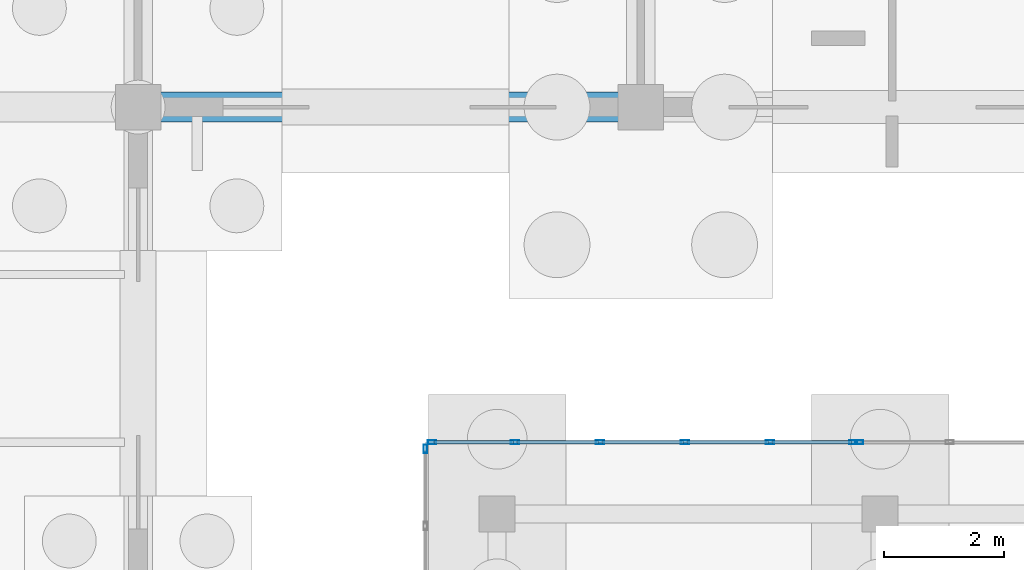
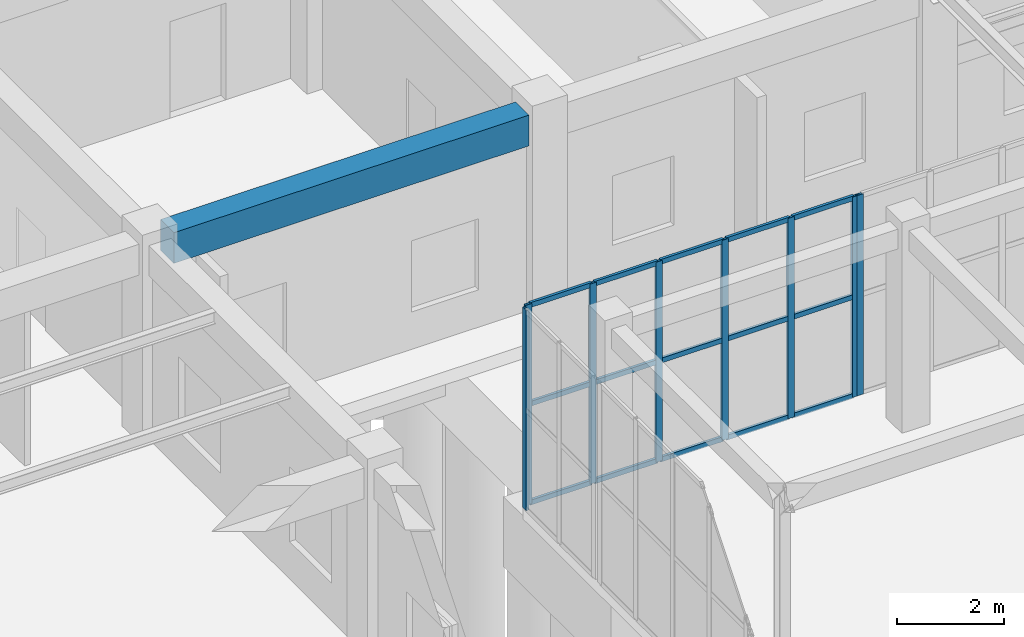
# One storey, part 90 of 192: 23 members, 1 beam, 3 elements without a shape of their own.
"""IFC4 building model written with IfcOpenShell, lengths in metres."""

from ifc_helpers import new_model, si_unit, direction, frame, origin, origin_2d, place, context, subcontext, project, spatial, rectangle, hollow_rectangle, extrude, material, layer, layer_set, material_profile, profile_set, type_object, element, aggregate, save


model = new_model("IFC4")

# Units and contexts
model_context = context("Model", 3, precision=1e-05, world=origin(), true_north=direction((0.0, 1.0)))
body_context = subcontext(model_context, "Body", "Model", "MODEL_VIEW")
ifc_project = project(units=[si_unit("LENGTHUNIT", "METRE"), si_unit("AREAUNIT", "SQUARE_METRE"), si_unit("VOLUMEUNIT", "CUBIC_METRE"), si_unit("PLANEANGLEUNIT", "RADIAN"), si_unit("MASSUNIT", "GRAM", prefix="KILO")], contexts=[model_context])

# Site, building, storey
site_placement = place(None, origin())
site = spatial("IfcSite", under=ifc_project, at=site_placement, CompositionType="ELEMENT")
building_placement = place(site_placement, origin())
building = spatial("IfcBuilding", under=site, at=building_placement, Name="Trelvath General Hospital", CompositionType="ELEMENT")
storey_placement = place(building_placement, origin())
storey = spatial("IfcBuildingStorey", under=building, at=storey_placement, Name="L00", CompositionType="ELEMENT", Elevation=0.0)

# Beam
ifc_material_1 = material(Name="Concrete C35/45", Category="concrete")
ifc_material_profile_1 = material_profile(ifc_material_1, rectangle(XDim=0.5, YDim=0.699951171875, at=origin_2d()), Name="RCB500x700")
ifc_profile_set_1 = profile_set([ifc_material_profile_1], Name="Concrete C35/45")
beam_type = type_object("IfcBeamType", Name="Beam RC500x700", PredefinedType="BEAM", material=ifc_profile_set_1)
beam_placement = place(storey_placement, frame((42.375, 92.39990234375, 4.169921875), z_axis=(1.0, 0.0, 0.0), x_axis=(0.0, 1.0, 0.0)))
element("IfcBeam", 1, at=beam_placement, inside=storey, type_object=beam_type, Name="Grid Beam BX-005L", PredefinedType="BEAM", context=body_context, shape_type="SweptSolid", body=[
    extrude(rectangle(XDim=0.5, YDim=0.699951171875, at=origin_2d()), origin(), (0.0, 0.0, 1.0), 7.64990234375),
])

# Curtain wall, members
ifc_material_2 = material(Name="Anodised aluminium and low-E glass", Category="aluminium")
ifc_layer_1 = layer(ifc_material_2, 0.139892578125)
ifc_layer_set_1 = layer_set([ifc_layer_1], Name="Anodised aluminium and low-E glass")
curtain_wall_type_1 = type_object("IfcCurtainWallType", Name="CW CrystalCube 710 456 14", PredefinedType="USERDEFINED", material=ifc_layer_set_1)
curtain_wall_1_placement = place(storey_placement, origin())
curtain_wall_1 = element("IfcCurtainWall", 2, at=curtain_wall_1_placement, inside=storey, type_object=curtain_wall_type_1, Name="Crystal Cube Curtain Wall CUBE-W-T0 N1 L00", ObjectType="Unitised Glazed Curtain Wall", PredefinedType="USERDEFINED")
ifc_material_3 = material(Name="Anodised aluminium", Category="aluminium")
ifc_material_profile_2 = material_profile(ifc_material_3, hollow_rectangle(XDim=0.06005859375, YDim=0.139892578125, WallThickness=0.00390625, at=origin_2d()), Name="RHS60x140x4")
ifc_profile_set_2 = profile_set([ifc_material_profile_2], Name="Anodised aluminium")
member_type_1 = type_object("IfcMemberType", Name="CurtainMullion 60x140", PredefinedType="MULLION", material=ifc_profile_set_2)
member_1_placement = place(storey_placement, frame((46.909912109375, 86.800048828125, 0.0), z_axis=(0.0, 0.0, 1.0), x_axis=(0.0, 1.0, 0.0)))
member_1 = element("IfcMember", 3, at=member_1_placement, type_object=member_type_1, Name="CW-089 mullion 1", PredefinedType="MULLION", context=body_context, shape_type="SweptSolid", body=[
    extrude(hollow_rectangle(XDim=0.06005859375, YDim=0.139892578125, WallThickness=0.00390625, at=origin_2d()), origin(), (0.0, 0.0, 1.0), 4.56005859375),
])
member_2_placement = place(storey_placement, frame((48.300048828125, 86.800048828125, 0.0), z_axis=(0.0, 0.0, 1.0), x_axis=(0.0, 1.0, 0.0)))
member_2 = element("IfcMember", 4, at=member_2_placement, type_object=member_type_1, Name="CW-089 mullion 2", PredefinedType="MULLION", context=body_context, shape_type="SweptSolid", body=[
    extrude(hollow_rectangle(XDim=0.06005859375, YDim=0.139892578125, WallThickness=0.00390625, at=origin_2d()), origin(), (0.0, 0.0, 1.0), 4.56005859375),
])
member_3_placement = place(storey_placement, frame((49.719970703125, 86.800048828125, 0.0), z_axis=(0.0, 0.0, 1.0), x_axis=(0.0, 1.0, 0.0)))
member_3 = element("IfcMember", 5, at=member_3_placement, type_object=member_type_1, Name="CW-089 mullion 3", PredefinedType="MULLION", context=body_context, shape_type="SweptSolid", body=[
    extrude(hollow_rectangle(XDim=0.06005859375, YDim=0.139892578125, WallThickness=0.00390625, at=origin_2d()), origin(), (0.0, 0.0, 1.0), 4.56005859375),
])
member_4_placement = place(storey_placement, frame((51.139892578125, 86.800048828125, 0.0), z_axis=(0.0, 0.0, 1.0), x_axis=(0.0, 1.0, 0.0)))
member_4 = element("IfcMember", 6, at=member_4_placement, type_object=member_type_1, Name="CW-089 mullion 4", PredefinedType="MULLION", context=body_context, shape_type="SweptSolid", body=[
    extrude(hollow_rectangle(XDim=0.06005859375, YDim=0.139892578125, WallThickness=0.00390625, at=origin_2d()), origin(), (0.0, 0.0, 1.0), 4.56005859375),
])
member_5_placement = place(storey_placement, frame((52.56005859375, 86.800048828125, 0.0), z_axis=(0.0, 0.0, 1.0), x_axis=(0.0, 1.0, 0.0)))
member_5 = element("IfcMember", 7, at=member_5_placement, type_object=member_type_1, Name="CW-089 mullion 5", PredefinedType="MULLION", context=body_context, shape_type="SweptSolid", body=[
    extrude(hollow_rectangle(XDim=0.06005859375, YDim=0.139892578125, WallThickness=0.00390625, at=origin_2d()), origin(), (0.0, 0.0, 1.0), 4.56005859375),
])
member_6_placement = place(storey_placement, frame((53.949951171875, 86.800048828125, 0.0), z_axis=(0.0, 0.0, 1.0), x_axis=(0.0, 1.0, 0.0)))
member_6 = element("IfcMember", 8, at=member_6_placement, type_object=member_type_1, Name="CW-089 mullion 6", PredefinedType="MULLION", context=body_context, shape_type="SweptSolid", body=[
    extrude(hollow_rectangle(XDim=0.06005859375, YDim=0.139892578125, WallThickness=0.00390625, at=origin_2d()), origin(), (0.0, 0.0, 1.0), 4.56005859375),
])

# Curtain wall, member
ifc_material_4 = material(Name="Anodised aluminium and low-E glass", Category="aluminium")
ifc_layer_2 = layer(ifc_material_4, 0.139892578125)
ifc_layer_set_2 = layer_set([ifc_layer_2], Name="Anodised aluminium and low-E glass")
curtain_wall_type_2 = type_object("IfcCurtainWallType", Name="CW CrystalCube 463 456 14", PredefinedType="USERDEFINED", material=ifc_layer_set_2)
curtain_wall_2_placement = place(storey_placement, origin())
curtain_wall_2 = element("IfcCurtainWall", 9, at=curtain_wall_2_placement, inside=storey, type_object=curtain_wall_type_2, Name="Crystal Cube Curtain Wall CUBE-W-T0 N2 L00", ObjectType="Unitised Glazed Curtain Wall", PredefinedType="USERDEFINED")
member_7_placement = place(storey_placement, frame((54.050048828125, 86.800048828125, 0.0), z_axis=(0.0, 0.0, 1.0), x_axis=(0.0, 1.0, 0.0)))
member_7 = element("IfcMember", 10, at=member_7_placement, type_object=member_type_1, Name="CW-090 mullion 1", PredefinedType="MULLION", context=body_context, shape_type="SweptSolid", body=[
    extrude(hollow_rectangle(XDim=0.06005859375, YDim=0.139892578125, WallThickness=0.00390625, at=origin_2d()), origin(), (0.0, 0.0, 1.0), 4.56005859375),
])
aggregate(curtain_wall_2, [member_7])

ifc_material_5 = material(Name="Anodised aluminium and low-E glass", Category="aluminium")
ifc_layer_3 = layer(ifc_material_5, 0.139892578125)
ifc_layer_set_3 = layer_set([ifc_layer_3], Name="Anodised aluminium and low-E glass")
curtain_wall_type_3 = type_object("IfcCurtainWallType", Name="CW CrystalCube 264 456 14", PredefinedType="USERDEFINED", material=ifc_layer_set_3)
curtain_wall_3_placement = place(storey_placement, origin())
curtain_wall_3 = element("IfcCurtainWall", 11, at=curtain_wall_3_placement, inside=storey, type_object=curtain_wall_type_3, Name="Crystal Cube Curtain Wall CUBE-W-T0 W7 L00", ObjectType="Unitised Glazed Curtain Wall", PredefinedType="USERDEFINED")
member_8_placement = place(storey_placement, frame((46.800048828125, 86.68994140625, 0.0), z_axis=(0.0, 0.0, 1.0), x_axis=(-1.0, 0.0, 0.0)))
member_8 = element("IfcMember", 12, at=member_8_placement, type_object=member_type_1, Name="CW-104 mullion 3", PredefinedType="MULLION", context=body_context, shape_type="SweptSolid", body=[
    extrude(hollow_rectangle(XDim=0.06005859375, YDim=0.139892578125, WallThickness=0.00390625, at=origin_2d()), origin(), (0.0, 0.0, 1.0), 4.56005859375),
])
aggregate(curtain_wall_3, [member_8])

# Member
ifc_material_6 = material(Name="Anodised aluminium", Category="aluminium")
ifc_material_profile_3 = material_profile(ifc_material_6, hollow_rectangle(XDim=0.06005859375, YDim=0.110107421875, WallThickness=0.00390625, at=origin_2d()), Name="RHS60x110x4")
ifc_profile_set_3 = profile_set([ifc_material_profile_3], Name="Anodised aluminium")
member_type_2 = type_object("IfcMemberType", Name="CurtainTransom 60x110", PredefinedType="USERDEFINED", material=ifc_profile_set_3)
member_9_placement = place(storey_placement, frame((46.93994140625, 86.800048828125, 0.030029296875), z_axis=(1.0, 0.0, 0.0), x_axis=(0.0, 1.0, 0.0)))
member_9 = element("IfcMember", 13, at=member_9_placement, type_object=member_type_2, Name="CW-089 transom 1.1", ObjectType="TRANSOM", PredefinedType="USERDEFINED", context=body_context, shape_type="SweptSolid", body=[
    extrude(hollow_rectangle(XDim=0.06005859375, YDim=0.110107421875, WallThickness=0.00390625, at=origin_2d()), origin(), (0.0, 0.0, 1.0), 1.330078125),
])

member_10_placement = place(storey_placement, frame((46.93994140625, 86.800048828125, 2.280029296875), z_axis=(1.0, 0.0, 0.0), x_axis=(0.0, 1.0, 0.0)))
member_10 = element("IfcMember", 14, at=member_10_placement, type_object=member_type_2, Name="CW-089 transom 1.2", ObjectType="TRANSOM", PredefinedType="USERDEFINED", context=body_context, shape_type="SweptSolid", body=[
    extrude(hollow_rectangle(XDim=0.06005859375, YDim=0.110107421875, WallThickness=0.00390625, at=origin_2d()), origin(), (0.0, 0.0, 1.0), 1.330078125),
])

member_11_placement = place(storey_placement, frame((46.93994140625, 86.800048828125, 4.530029296875), z_axis=(1.0, 0.0, 0.0), x_axis=(0.0, 1.0, 0.0)))
member_11 = element("IfcMember", 15, at=member_11_placement, type_object=member_type_2, Name="CW-089 transom 1.3", ObjectType="TRANSOM", PredefinedType="USERDEFINED", context=body_context, shape_type="SweptSolid", body=[
    extrude(hollow_rectangle(XDim=0.06005859375, YDim=0.110107421875, WallThickness=0.00390625, at=origin_2d()), origin(), (0.0, 0.0, 1.0), 1.330078125),
])

member_12_placement = place(storey_placement, frame((48.330078125, 86.800048828125, 0.030029296875), z_axis=(1.0, 0.0, 0.0), x_axis=(0.0, 1.0, 0.0)))
member_12 = element("IfcMember", 16, at=member_12_placement, type_object=member_type_2, Name="CW-089 transom 2.1", ObjectType="TRANSOM", PredefinedType="USERDEFINED", context=body_context, shape_type="SweptSolid", body=[
    extrude(hollow_rectangle(XDim=0.06005859375, YDim=0.110107421875, WallThickness=0.00390625, at=origin_2d()), origin(), (0.0, 0.0, 1.0), 1.35986328125),
])

member_13_placement = place(storey_placement, frame((48.330078125, 86.800048828125, 2.280029296875), z_axis=(1.0, 0.0, 0.0), x_axis=(0.0, 1.0, 0.0)))
member_13 = element("IfcMember", 17, at=member_13_placement, type_object=member_type_2, Name="CW-089 transom 2.2", ObjectType="TRANSOM", PredefinedType="USERDEFINED", context=body_context, shape_type="SweptSolid", body=[
    extrude(hollow_rectangle(XDim=0.06005859375, YDim=0.110107421875, WallThickness=0.00390625, at=origin_2d()), origin(), (0.0, 0.0, 1.0), 1.35986328125),
])

member_14_placement = place(storey_placement, frame((48.330078125, 86.800048828125, 4.530029296875), z_axis=(1.0, 0.0, 0.0), x_axis=(0.0, 1.0, 0.0)))
member_14 = element("IfcMember", 18, at=member_14_placement, type_object=member_type_2, Name="CW-089 transom 2.3", ObjectType="TRANSOM", PredefinedType="USERDEFINED", context=body_context, shape_type="SweptSolid", body=[
    extrude(hollow_rectangle(XDim=0.06005859375, YDim=0.110107421875, WallThickness=0.00390625, at=origin_2d()), origin(), (0.0, 0.0, 1.0), 1.35986328125),
])

member_15_placement = place(storey_placement, frame((49.75, 86.800048828125, 0.030029296875), z_axis=(1.0, 0.0, 0.0), x_axis=(0.0, 1.0, 0.0)))
member_15 = element("IfcMember", 19, at=member_15_placement, type_object=member_type_2, Name="CW-089 transom 3.1", ObjectType="TRANSOM", PredefinedType="USERDEFINED", context=body_context, shape_type="SweptSolid", body=[
    extrude(hollow_rectangle(XDim=0.06005859375, YDim=0.110107421875, WallThickness=0.00390625, at=origin_2d()), origin(), (0.0, 0.0, 1.0), 1.360107421875),
])

member_16_placement = place(storey_placement, frame((49.75, 86.800048828125, 2.280029296875), z_axis=(1.0, 0.0, 0.0), x_axis=(0.0, 1.0, 0.0)))
member_16 = element("IfcMember", 20, at=member_16_placement, type_object=member_type_2, Name="CW-089 transom 3.2", ObjectType="TRANSOM", PredefinedType="USERDEFINED", context=body_context, shape_type="SweptSolid", body=[
    extrude(hollow_rectangle(XDim=0.06005859375, YDim=0.110107421875, WallThickness=0.00390625, at=origin_2d()), origin(), (0.0, 0.0, 1.0), 1.360107421875),
])

member_17_placement = place(storey_placement, frame((49.75, 86.800048828125, 4.530029296875), z_axis=(1.0, 0.0, 0.0), x_axis=(0.0, 1.0, 0.0)))
member_17 = element("IfcMember", 21, at=member_17_placement, type_object=member_type_2, Name="CW-089 transom 3.3", ObjectType="TRANSOM", PredefinedType="USERDEFINED", context=body_context, shape_type="SweptSolid", body=[
    extrude(hollow_rectangle(XDim=0.06005859375, YDim=0.110107421875, WallThickness=0.00390625, at=origin_2d()), origin(), (0.0, 0.0, 1.0), 1.360107421875),
])

member_18_placement = place(storey_placement, frame((51.169921875, 86.800048828125, 0.030029296875), z_axis=(1.0, 0.0, 0.0), x_axis=(0.0, 1.0, 0.0)))
member_18 = element("IfcMember", 22, at=member_18_placement, type_object=member_type_2, Name="CW-089 transom 4.1", ObjectType="TRANSOM", PredefinedType="USERDEFINED", context=body_context, shape_type="SweptSolid", body=[
    extrude(hollow_rectangle(XDim=0.06005859375, YDim=0.110107421875, WallThickness=0.00390625, at=origin_2d()), origin(), (0.0, 0.0, 1.0), 1.360107421875),
])

member_19_placement = place(storey_placement, frame((51.169921875, 86.800048828125, 2.280029296875), z_axis=(1.0, 0.0, 0.0), x_axis=(0.0, 1.0, 0.0)))
member_19 = element("IfcMember", 23, at=member_19_placement, type_object=member_type_2, Name="CW-089 transom 4.2", ObjectType="TRANSOM", PredefinedType="USERDEFINED", context=body_context, shape_type="SweptSolid", body=[
    extrude(hollow_rectangle(XDim=0.06005859375, YDim=0.110107421875, WallThickness=0.00390625, at=origin_2d()), origin(), (0.0, 0.0, 1.0), 1.360107421875),
])

member_20_placement = place(storey_placement, frame((51.169921875, 86.800048828125, 4.530029296875), z_axis=(1.0, 0.0, 0.0), x_axis=(0.0, 1.0, 0.0)))
member_20 = element("IfcMember", 24, at=member_20_placement, type_object=member_type_2, Name="CW-089 transom 4.3", ObjectType="TRANSOM", PredefinedType="USERDEFINED", context=body_context, shape_type="SweptSolid", body=[
    extrude(hollow_rectangle(XDim=0.06005859375, YDim=0.110107421875, WallThickness=0.00390625, at=origin_2d()), origin(), (0.0, 0.0, 1.0), 1.360107421875),
])

member_21_placement = place(storey_placement, frame((52.590087890625, 86.800048828125, 0.030029296875), z_axis=(1.0, 0.0, 0.0), x_axis=(0.0, 1.0, 0.0)))
member_21 = element("IfcMember", 25, at=member_21_placement, type_object=member_type_2, Name="CW-089 transom 5.1", ObjectType="TRANSOM", PredefinedType="USERDEFINED", context=body_context, shape_type="SweptSolid", body=[
    extrude(hollow_rectangle(XDim=0.06005859375, YDim=0.110107421875, WallThickness=0.00390625, at=origin_2d()), origin(), (0.0, 0.0, 1.0), 1.329833984375),
])

member_22_placement = place(storey_placement, frame((52.590087890625, 86.800048828125, 2.280029296875), z_axis=(1.0, 0.0, 0.0), x_axis=(0.0, 1.0, 0.0)))
member_22 = element("IfcMember", 26, at=member_22_placement, type_object=member_type_2, Name="CW-089 transom 5.2", ObjectType="TRANSOM", PredefinedType="USERDEFINED", context=body_context, shape_type="SweptSolid", body=[
    extrude(hollow_rectangle(XDim=0.06005859375, YDim=0.110107421875, WallThickness=0.00390625, at=origin_2d()), origin(), (0.0, 0.0, 1.0), 1.329833984375),
])

member_23_placement = place(storey_placement, frame((52.590087890625, 86.800048828125, 4.530029296875), z_axis=(1.0, 0.0, 0.0), x_axis=(0.0, 1.0, 0.0)))
member_23 = element("IfcMember", 27, at=member_23_placement, type_object=member_type_2, Name="CW-089 transom 5.3", ObjectType="TRANSOM", PredefinedType="USERDEFINED", context=body_context, shape_type="SweptSolid", body=[
    extrude(hollow_rectangle(XDim=0.06005859375, YDim=0.110107421875, WallThickness=0.00390625, at=origin_2d()), origin(), (0.0, 0.0, 1.0), 1.329833984375),
])

aggregate(curtain_wall_1, [member_1, member_2, member_3, member_4, member_5, member_6, member_9, member_10, member_11, member_12, member_13, member_14, member_15, member_16, member_17, member_18, member_19, member_20, member_21, member_22, member_23])

save(model, "model.ifc")
